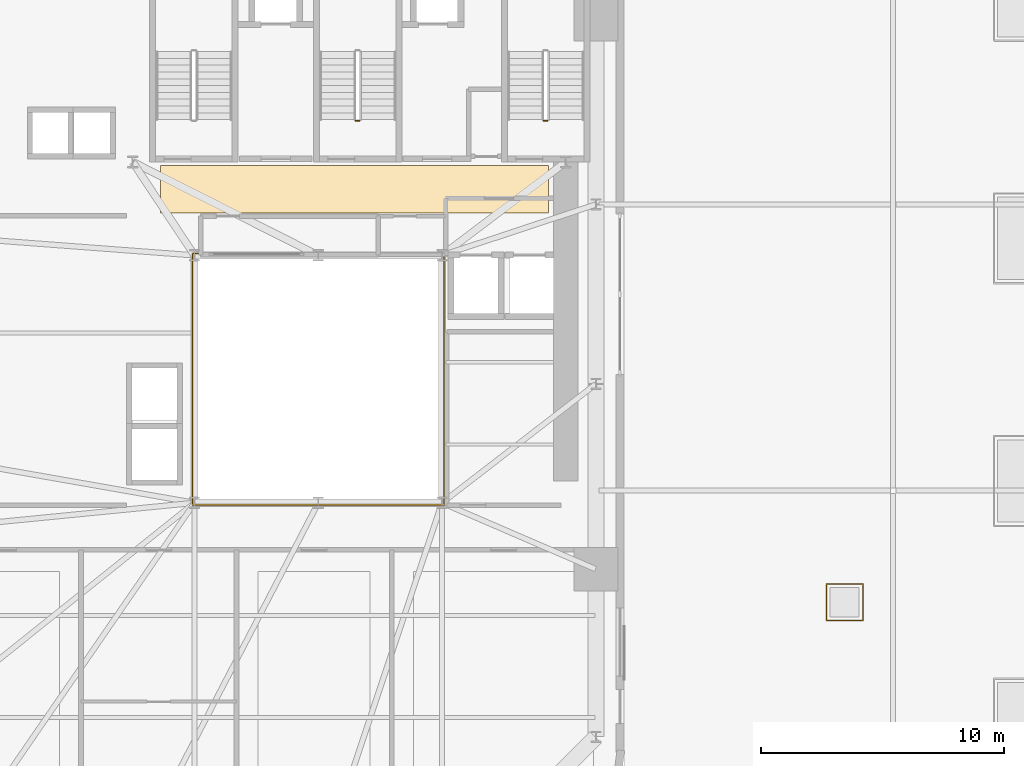
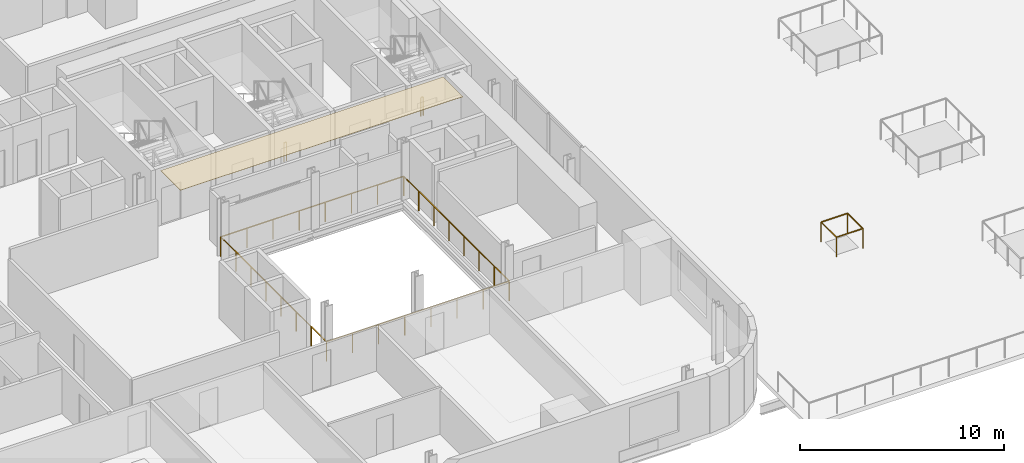
# One storey, part 15 of 18: 4 railings, 1 covering.
"""IFC4 building model written with IfcOpenShell, lengths in metres."""

from ifc_helpers import new_model, si_unit, direction, frame, origin, origin_2d, place, context, subcontext, project, spatial, polyline, rectangle, outline, extrude, source, transform, mapped, material, layer, layer_set, type_object, element, save


model = new_model("IFC4")

# Units and contexts
model_context = context("Model", 3, precision=1e-05, world=origin(), true_north=direction((0.0, 1.0)))
body_context = subcontext(model_context, "Body", "Model", "MODEL_VIEW")
ifc_project = project(units=[si_unit("LENGTHUNIT", "METRE"), si_unit("AREAUNIT", "SQUARE_METRE"), si_unit("VOLUMEUNIT", "CUBIC_METRE"), si_unit("PLANEANGLEUNIT", "RADIAN"), si_unit("MASSUNIT", "GRAM", prefix="KILO")], contexts=[model_context])

# Site, building, storey
site_placement = place(None, origin())
site = spatial("IfcSite", under=ifc_project, at=site_placement, CompositionType="ELEMENT")
building_placement = place(site_placement, origin())
building = spatial("IfcBuilding", under=site, at=building_placement, Name="Vardaveli Station Tower", CompositionType="ELEMENT")
storey_placement = place(building_placement, frame((0.0, 0.0, 27.60009765625)))
storey = spatial("IfcBuildingStorey", under=building, at=storey_placement, Name="L06", CompositionType="ELEMENT", Elevation=27.60009765625)

# Covering
ifc_material_1 = material(Name="Perforated acoustic mineral ceiling")
ifc_layer = layer(ifc_material_1, 0.02001953125, Name="Perforated acoustic mineral ceiling")
ifc_layer_set = layer_set([ifc_layer], Name="Perforated acoustic mineral ceiling")
covering_type = type_object("IfcCoveringType", Name="COV-CEIL-AC20", PredefinedType="CEILING", material=ifc_layer_set)
covering_placement = place(storey_placement, frame((0.0, 0.0, 3.39501953125)))
element("IfcCovering", 1, at=covering_placement, inside=storey, type_object=covering_type, Name="CEIL-L06-5", PredefinedType="CEILING", context=body_context, shape_type="SweptSolid", body=[
    extrude(outline(polyline([(29.800048828125, 28.550048828125), (45.800048828125, 28.550048828125), (45.800048828125, 30.5), (29.800048828125, 30.5), (29.800048828125, 28.550048828125)])), origin(), (0.0, 0.0, 1.0), 0.019775390625),
])

# Railings
ifc_material_2 = material(Name="Laminated glass and stainless steel balustrade", Category="steel")
railing_type_1 = type_object("IfcRailingType", Name="RL-BAL-1200", PredefinedType="BALUSTRADE", material=ifc_material_2)
shared_shape_1 = source(origin(), body_context, "Body", "SweptSolid", [
    extrude(rectangle(XDim=0.048095703125, YDim=0.048095703125, at=origin_2d()), frame((0.0, 0.0, 1.17578125), z_axis=(1.0, 0.0, 0.0), x_axis=(0.0, 1.0, 0.0)), (0.0, 0.0, 1.0), 1.5),
    extrude(rectangle(XDim=0.048095703125, YDim=0.048095703125, at=origin_2d()), frame((1.5, 0.0, 1.17578125), z_axis=(0.0, 1.0, 0.0), x_axis=(-1.0, 0.0, 0.0)), (0.0, 0.0, 1.0), 1.5),
    extrude(rectangle(XDim=0.048095703125, YDim=0.048095703125, at=origin_2d()), frame((1.5, 1.5, 1.17578125), z_axis=(-1.0, 0.0, 0.0), x_axis=(0.0, -1.0, 0.0)), (0.0, 0.0, 1.0), 1.5),
    extrude(rectangle(XDim=0.048095703125, YDim=0.048095703125, at=origin_2d()), frame((0.0, 1.5, 1.17578125), z_axis=(0.0, -1.0, 0.0), x_axis=(1.0, 0.0, 0.0)), (0.0, 0.0, 1.0), 1.5),
    extrude(rectangle(XDim=0.0419921875, YDim=0.0419921875, at=origin_2d()), origin(), (0.0, 0.0, 1.0), 1.15185546875),
    extrude(rectangle(XDim=0.0419921875, YDim=0.0419921875, at=origin_2d()), frame((1.5, 0.0, 0.0)), (0.0, 0.0, 1.0), 1.15185546875),
    extrude(rectangle(XDim=0.0419921875, YDim=0.0419921875, at=origin_2d()), frame((1.5, 1.5, 0.0)), (0.0, 0.0, 1.0), 1.15185546875),
    extrude(rectangle(XDim=0.0419921875, YDim=0.0419921875, at=origin_2d()), frame((0.0, 1.5, 0.0)), (0.0, 0.0, 1.0), 1.15185546875),
])
railing_1_placement = place(storey_placement, frame((57.25, 11.75, 0.0)))
element("IfcRailing", 2, at=railing_1_placement, inside=storey, type_object=railing_type_1, Name="RL-RHTPOD-01", PredefinedType="BALUSTRADE", context=body_context, shape_type="MappedRepresentation", body=[
    mapped(shared_shape_1, transform((0.0, 0.0, 0.0), scale=1.0)),
])
ifc_material_3 = material(Name="Brushed AISI 316 stainless steel", Category="steel")
railing_type_2 = type_object("IfcRailingType", Name="RL-GUARD-1150", PredefinedType="GUARDRAIL", material=ifc_material_3)
shared_shape_2 = source(origin(), body_context, "Body", "SweptSolid", [
    extrude(rectangle(XDim=0.048095703125, YDim=0.048095703125, at=origin_2d()), frame((0.0, 0.0, 1.1259765625), z_axis=(-1.0, 0.0, 0.0), x_axis=(0.0, -1.0, 0.0)), (0.0, 0.0, 1.0), 0.14990234375),
    extrude(rectangle(XDim=0.0419921875, YDim=0.0419921875, at=origin_2d()), origin(), (0.0, 0.0, 1.0), 1.101806640625),
    extrude(rectangle(XDim=0.0419921875, YDim=0.0419921875, at=origin_2d()), frame((-0.14990234375, 0.0, 0.0)), (0.0, 0.0, 1.0), 1.101806640625),
])
for number, where, name in (
    (3, (38.0, 32.35009765625, 0.0), "L06 ST-2 stair guard 4"),
    (4, (45.75, 32.35009765625, 0.0), "L06 ST-3 stair guard 4"),
):
    element("IfcRailing", number, at=place(storey_placement, frame(where)), inside=storey, type_object=railing_type_2, Name=name, PredefinedType="GUARDRAIL", context=body_context, shape_type="MappedRepresentation", body=[
        mapped(shared_shape_2, transform((0.0, 0.0, 0.0), scale=1.0)),
    ])
shared_shape_3 = source(origin(), body_context, "Body", "SweptSolid", [
    extrude(rectangle(XDim=0.048095703125, YDim=0.048095703125, at=origin_2d()), frame((0.0, 0.0, 1.17578125), z_axis=(1.0, 0.0, 0.0), x_axis=(0.0, 1.0, 0.0)), (0.0, 0.0, 1.0), 10.35986328125),
    extrude(rectangle(XDim=0.048095703125, YDim=0.048095703125, at=origin_2d()), frame((10.35986328125, 0.0, 1.17578125), z_axis=(0.0, 1.0, 0.0), x_axis=(-1.0, 0.0, 0.0)), (0.0, 0.0, 1.0), 10.35986328125),
    extrude(rectangle(XDim=0.048095703125, YDim=0.048095703125, at=origin_2d()), frame((10.35986328125, 10.35986328125, 1.17578125), z_axis=(-1.0, 0.0, 0.0), x_axis=(0.0, -1.0, 0.0)), (0.0, 0.0, 1.0), 10.35986328125),
    extrude(rectangle(XDim=0.048095703125, YDim=0.048095703125, at=origin_2d()), frame((0.0, 10.35986328125, 1.17578125), z_axis=(0.0, -1.0, 0.0), x_axis=(1.0, 0.0, 0.0)), (0.0, 0.0, 1.0), 10.35986328125),
    extrude(rectangle(XDim=0.0419921875, YDim=0.0419921875, at=origin_2d()), origin(), (0.0, 0.0, 1.0), 1.15185546875),
    extrude(rectangle(XDim=0.0419921875, YDim=0.0419921875, at=origin_2d()), frame((1.47998046875, 0.0, 0.0)), (0.0, 0.0, 1.0), 1.15185546875),
    extrude(rectangle(XDim=0.0419921875, YDim=0.0419921875, at=origin_2d()), frame((2.9599609375, 0.0, 0.0)), (0.0, 0.0, 1.0), 1.15185546875),
    extrude(rectangle(XDim=0.0419921875, YDim=0.0419921875, at=origin_2d()), frame((4.43994140625, 0.0, 0.0)), (0.0, 0.0, 1.0), 1.15185546875),
    extrude(rectangle(XDim=0.0419921875, YDim=0.0419921875, at=origin_2d()), frame((5.919921875, 0.0, 0.0)), (0.0, 0.0, 1.0), 1.15185546875),
    extrude(rectangle(XDim=0.0419921875, YDim=0.0419921875, at=origin_2d()), frame((7.39990234375, 0.0, 0.0)), (0.0, 0.0, 1.0), 1.15185546875),
    extrude(rectangle(XDim=0.0419921875, YDim=0.0419921875, at=origin_2d()), frame((8.8798828125, 0.0, 0.0)), (0.0, 0.0, 1.0), 1.15185546875),
    extrude(rectangle(XDim=0.0419921875, YDim=0.0419921875, at=origin_2d()), frame((10.35986328125, 0.0, 0.0)), (0.0, 0.0, 1.0), 1.15185546875),
    extrude(rectangle(XDim=0.0419921875, YDim=0.0419921875, at=origin_2d()), frame((10.35986328125, 1.47998046875, 0.0)), (0.0, 0.0, 1.0), 1.15185546875),
    extrude(rectangle(XDim=0.0419921875, YDim=0.0419921875, at=origin_2d()), frame((10.35986328125, 2.9599609375, 0.0)), (0.0, 0.0, 1.0), 1.15185546875),
    extrude(rectangle(XDim=0.0419921875, YDim=0.0419921875, at=origin_2d()), frame((10.35986328125, 4.43994140625, 0.0)), (0.0, 0.0, 1.0), 1.15185546875),
    extrude(rectangle(XDim=0.0419921875, YDim=0.0419921875, at=origin_2d()), frame((10.35986328125, 5.919921875, 0.0)), (0.0, 0.0, 1.0), 1.15185546875),
    extrude(rectangle(XDim=0.0419921875, YDim=0.0419921875, at=origin_2d()), frame((10.35986328125, 7.39990234375, 0.0)), (0.0, 0.0, 1.0), 1.15185546875),
    extrude(rectangle(XDim=0.0419921875, YDim=0.0419921875, at=origin_2d()), frame((10.35986328125, 8.8798828125, 0.0)), (0.0, 0.0, 1.0), 1.15185546875),
    extrude(rectangle(XDim=0.0419921875, YDim=0.0419921875, at=origin_2d()), frame((10.35986328125, 10.35986328125, 0.0)), (0.0, 0.0, 1.0), 1.15185546875),
    extrude(rectangle(XDim=0.0419921875, YDim=0.0419921875, at=origin_2d()), frame((8.8798828125, 10.35986328125, 0.0)), (0.0, 0.0, 1.0), 1.15185546875),
    extrude(rectangle(XDim=0.0419921875, YDim=0.0419921875, at=origin_2d()), frame((7.39990234375, 10.35986328125, 0.0)), (0.0, 0.0, 1.0), 1.15185546875),
    extrude(rectangle(XDim=0.0419921875, YDim=0.0419921875, at=origin_2d()), frame((5.919921875, 10.35986328125, 0.0)), (0.0, 0.0, 1.0), 1.15185546875),
    extrude(rectangle(XDim=0.0419921875, YDim=0.0419921875, at=origin_2d()), frame((4.43994140625, 10.35986328125, 0.0)), (0.0, 0.0, 1.0), 1.15185546875),
    extrude(rectangle(XDim=0.0419921875, YDim=0.0419921875, at=origin_2d()), frame((2.9599609375, 10.35986328125, 0.0)), (0.0, 0.0, 1.0), 1.15185546875),
    extrude(rectangle(XDim=0.0419921875, YDim=0.0419921875, at=origin_2d()), frame((1.47998046875, 10.35986328125, 0.0)), (0.0, 0.0, 1.0), 1.15185546875),
    extrude(rectangle(XDim=0.0419921875, YDim=0.0419921875, at=origin_2d()), frame((0.0, 10.35986328125, 0.0)), (0.0, 0.0, 1.0), 1.15185546875),
    extrude(rectangle(XDim=0.0419921875, YDim=0.0419921875, at=origin_2d()), frame((0.0, 8.8798828125, 0.0)), (0.0, 0.0, 1.0), 1.15185546875),
    extrude(rectangle(XDim=0.0419921875, YDim=0.0419921875, at=origin_2d()), frame((0.0, 7.39990234375, 0.0)), (0.0, 0.0, 1.0), 1.15185546875),
    extrude(rectangle(XDim=0.0419921875, YDim=0.0419921875, at=origin_2d()), frame((0.0, 5.919921875, 0.0)), (0.0, 0.0, 1.0), 1.15185546875),
    extrude(rectangle(XDim=0.0419921875, YDim=0.0419921875, at=origin_2d()), frame((0.0, 4.43994140625, 0.0)), (0.0, 0.0, 1.0), 1.15185546875),
    extrude(rectangle(XDim=0.0419921875, YDim=0.0419921875, at=origin_2d()), frame((0.0, 2.9599609375, 0.0)), (0.0, 0.0, 1.0), 1.15185546875),
    extrude(rectangle(XDim=0.0419921875, YDim=0.0419921875, at=origin_2d()), frame((0.0, 1.47998046875, 0.0)), (0.0, 0.0, 1.0), 1.15185546875),
])
railing_2_placement = place(storey_placement, frame((31.1201171875, 16.52001953125, 0.0)))
element("IfcRailing", 5, at=railing_2_placement, inside=storey, type_object=railing_type_1, Name="RL-ATR-L06", PredefinedType="BALUSTRADE", context=body_context, shape_type="MappedRepresentation", body=[
    mapped(shared_shape_3, transform((0.0, 0.0, 0.0), scale=1.0)),
])

save(model, "model.ifc")
